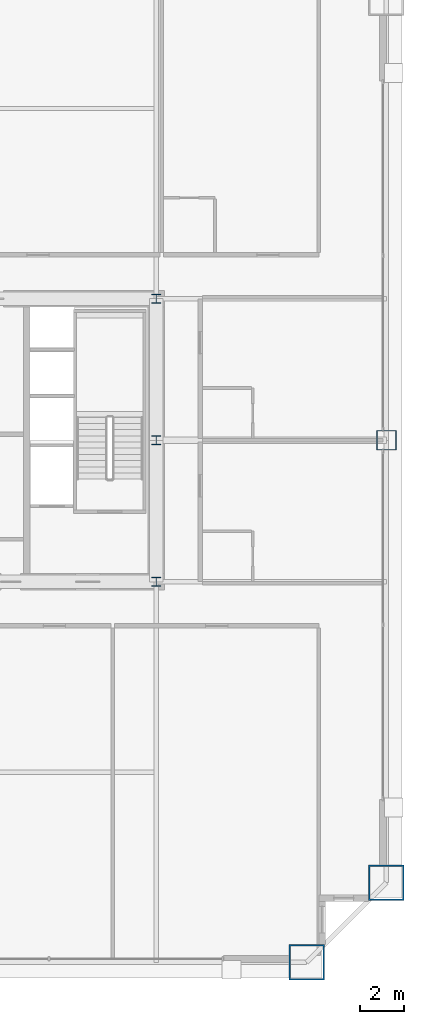
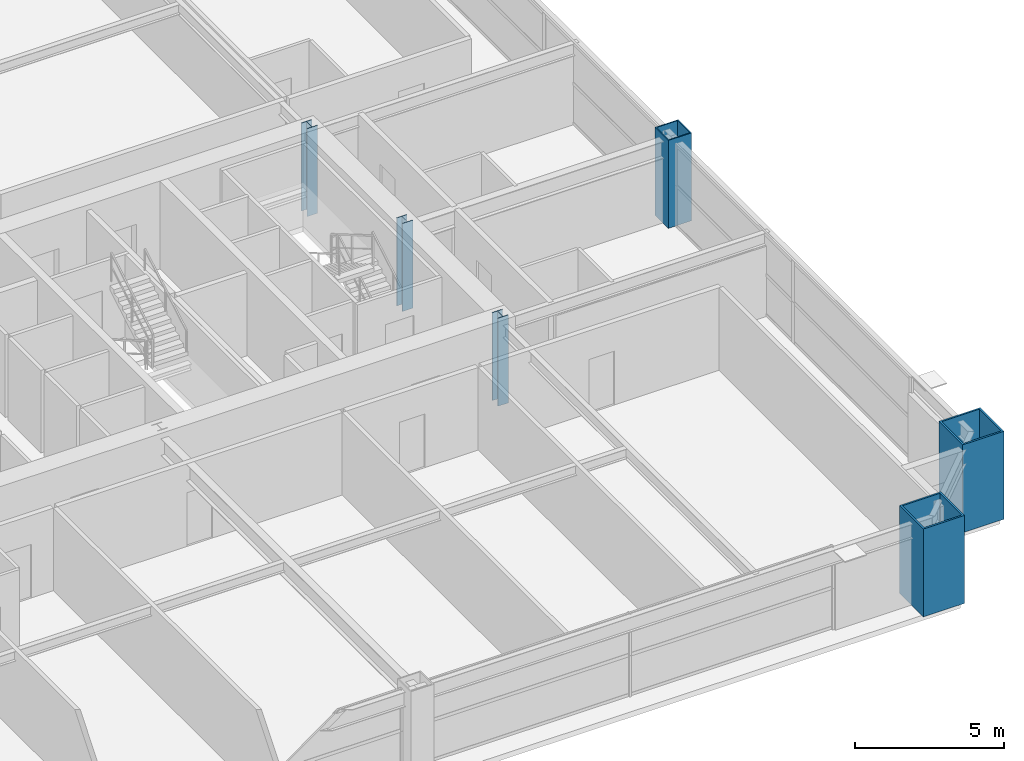
# One storey, part 2 of 39: 6 columns.
"""IFC4 building model written with IfcOpenShell, lengths in metres."""

from ifc_helpers import new_model, si_unit, direction, frame, origin, origin_2d, place, context, subcontext, project, spatial, hollow_rectangle, i_section, extrude, source, transform, mapped, material, material_profile, profile_set, type_object, element, save


model = new_model("IFC4")

# Units and contexts
model_context = context("Model", 3, precision=1e-05, world=origin(), true_north=direction((0.0, 1.0)))
body_context = subcontext(model_context, "Body", "Model", "MODEL_VIEW")
ifc_project = project(units=[si_unit("LENGTHUNIT", "METRE"), si_unit("AREAUNIT", "SQUARE_METRE"), si_unit("VOLUMEUNIT", "CUBIC_METRE"), si_unit("PLANEANGLEUNIT", "RADIAN"), si_unit("MASSUNIT", "GRAM", prefix="KILO"), si_unit("THERMODYNAMICTEMPERATUREUNIT", "KELVIN"), si_unit("POWERUNIT", "WATT")], contexts=[model_context])

# Site, building, storey
site_placement = place(None, origin())
site = spatial("IfcSite", under=ifc_project, at=site_placement, CompositionType="ELEMENT")
building_placement = place(site_placement, origin())
building = spatial("IfcBuilding", under=site, at=building_placement, Name="Yuzanri Waterfront Tower", CompositionType="ELEMENT")
storey_placement = place(building_placement, frame((0.0, 0.0, 134.39990234375)))
storey = spatial("IfcBuildingStorey", under=building, at=storey_placement, Name="L35", CompositionType="ELEMENT", Elevation=134.39990234375)

# Columns
ifc_material_1 = material(Name="Steel Q390GJC", Category="steel")
ifc_material_profile_1 = material_profile(ifc_material_1, hollow_rectangle(XDim=0.89990234375, YDim=0.89990234375, WallThickness=0.0419921875, at=origin_2d()), Name="RHS 900x900x42")
ifc_profile_set_1 = profile_set([ifc_material_profile_1], Name="Steel Q390GJC")
column_type_1 = type_object("IfcColumnType", Name="Frame Column Q390GJC RHS 900x900x42", PredefinedType="COLUMN", material=ifc_profile_set_1)
shared_shape_1 = source(origin(), body_context, "Body", "SweptSolid", [
    extrude(hollow_rectangle(XDim=0.89990234375, YDim=0.89990234375, WallThickness=0.0419921875, at=origin_2d()), origin(), (0.0, 0.0, 1.0), 3.60009765625),
])
column_placement = place(storey_placement, frame((60.60009765625, 25.800048828125, 0.0), z_axis=(0.0, 0.0, 1.0), x_axis=(1.0, 0.0, 0.0)))
element("IfcColumn", 1, at=column_placement, inside=storey, type_object=column_type_1, Name="L35 Perimeter Frame Column E2", PredefinedType="COLUMN", context=body_context, shape_type="MappedRepresentation", body=[
    mapped(shared_shape_1, transform((0.0, 0.0, 0.0), scale=1.0)),
])
ifc_material_2 = material(Name="Steel Q420GJC", Category="steel")
ifc_material_profile_2 = material_profile(ifc_material_2, hollow_rectangle(XDim=1.60009765625, YDim=1.60009765625, WallThickness=0.070068359375, at=origin_2d()), Name="RHS 1600x1600x70")
ifc_profile_set_2 = profile_set([ifc_material_profile_2], Name="Steel Q420GJC")
column_type_2 = type_object("IfcColumnType", Name="Mega Column Q420GJC RHS 1600x1600x70", PredefinedType="COLUMN", material=ifc_profile_set_2)
shared_shape_2 = source(origin(), body_context, "Body", "SweptSolid", [
    extrude(hollow_rectangle(XDim=1.60009765625, YDim=1.60009765625, WallThickness=0.070068359375, at=origin_2d()), origin(), (0.0, 0.0, 1.0), 3.60009765625),
])
for number, where, z_axis, x_axis, name in (
    (2, (57.0, 2.199951171875, 0.0), (0.0, 0.0, 1.0), (1.0, 0.0, 0.0), "L35 Perimeter Mega Column S3"),
    (3, (60.60009765625, 5.800048828125, 0.0), (0.0, 0.0, 1.0), (1.0, 0.0, 0.0), "L35 Perimeter Mega Column E1"),
):
    element("IfcColumn", number, at=place(storey_placement, frame(where, z_axis=z_axis, x_axis=x_axis)), inside=storey, type_object=column_type_2, Name=name, PredefinedType="COLUMN", context=body_context, shape_type="MappedRepresentation", body=[
        mapped(shared_shape_2, transform((0.0, 0.0, 0.0), scale=1.0)),
    ])
ifc_material_3 = material(Name="Steel Q355B", Category="steel")
ifc_material_profile_3 = material_profile(ifc_material_3, i_section(OverallWidth=0.39990234375, OverallDepth=0.39990234375, WebThickness=0.012939453125, FlangeThickness=0.02099609375, at=origin_2d()), Name="HW 400x400x13x21")
ifc_profile_set_3 = profile_set([ifc_material_profile_3], Name="Steel Q355B")
column_type_3 = type_object("IfcColumnType", Name="Core Post Q355B HW 400x400x13x21", PredefinedType="COLUMN", material=ifc_profile_set_3)
shared_shape_3 = source(origin(), body_context, "Body", "SweptSolid", [
    extrude(i_section(OverallWidth=0.39990234375, OverallDepth=0.39990234375, WebThickness=0.012939453125, FlangeThickness=0.02099609375, at=origin_2d()), origin(), (0.0, 0.0, 1.0), 3.60009765625),
])
for number, where, z_axis, x_axis, name in (
    (4, (50.199951171875, 19.39990234375, 0.0), (0.0, 0.0, 1.0), (1.0, 0.0, 0.0), "L35 Core Boundary Column CP3"),
    (5, (50.199951171875, 25.800048828125, 0.0), (0.0, 0.0, 1.0), (1.0, 0.0, 0.0), "L35 Core Boundary Column CP5"),
    (6, (50.199951171875, 32.199951171875, 0.0), (0.0, 0.0, 1.0), (1.0, 0.0, 0.0), "L35 Core Boundary Column CP8"),
):
    element("IfcColumn", number, at=place(storey_placement, frame(where, z_axis=z_axis, x_axis=x_axis)), inside=storey, type_object=column_type_3, Name=name, PredefinedType="COLUMN", context=body_context, shape_type="MappedRepresentation", body=[
        mapped(shared_shape_3, transform((0.0, 0.0, 0.0), scale=1.0)),
    ])

save(model, "model.ifc")
